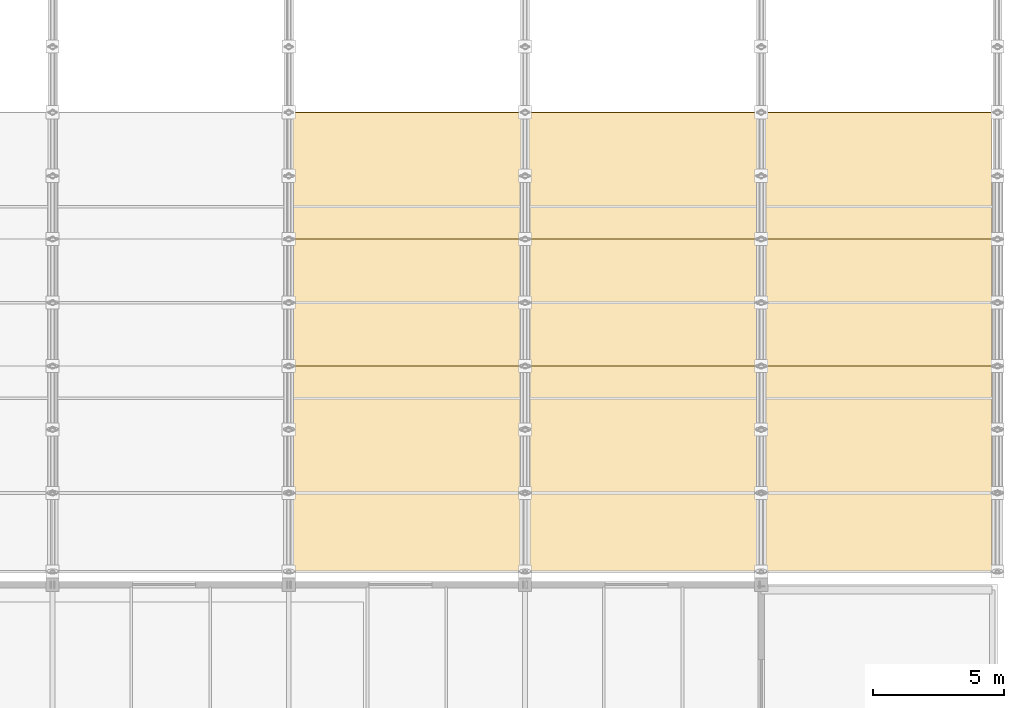
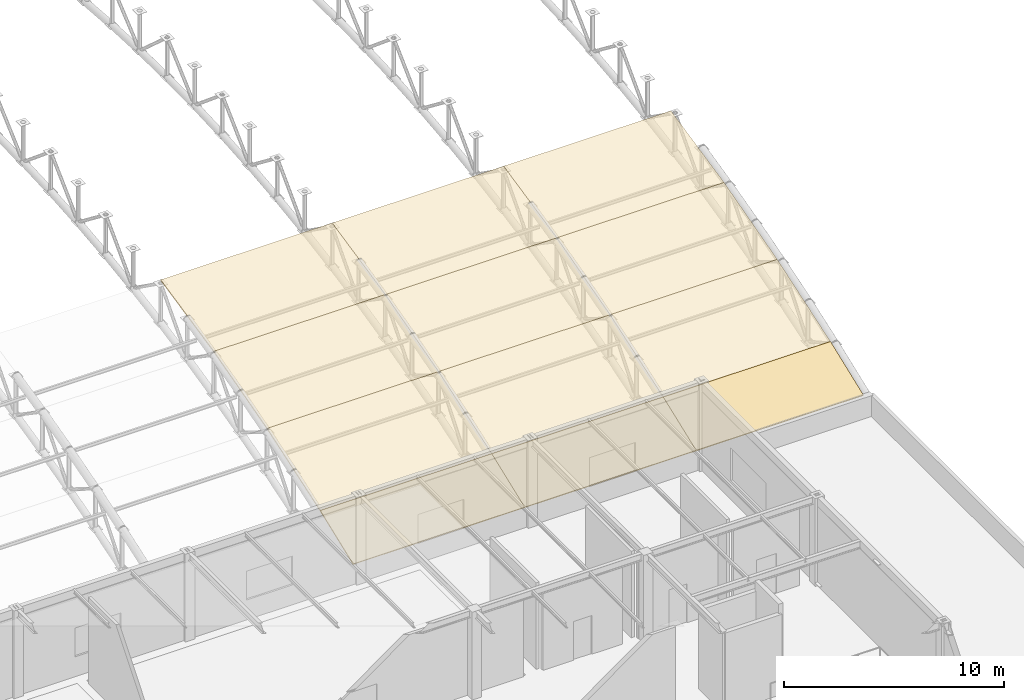
# One storey, part 191 of 195: 12 coverings.
"""IFC4 building model written with IfcOpenShell, lengths in metres."""

from ifc_helpers import new_model, si_unit, direction, frame, origin, place, context, subcontext, project, spatial, polyline, outline, extrude, material, layer, layer_set, type_object, element, save


model = new_model("IFC4")

# Units and contexts
model_context = context("Model", 3, precision=1e-05, world=origin(), true_north=direction((0.0, 1.0)))
body_context = subcontext(model_context, "Body", "Model", "MODEL_VIEW")
ifc_project = project(units=[si_unit("LENGTHUNIT", "METRE"), si_unit("AREAUNIT", "SQUARE_METRE"), si_unit("VOLUMEUNIT", "CUBIC_METRE"), si_unit("PLANEANGLEUNIT", "RADIAN"), si_unit("MASSUNIT", "GRAM", prefix="KILO")], contexts=[model_context])

# Site, building, storey
site_placement = place(None, origin())
site = spatial("IfcSite", under=ifc_project, at=site_placement, CompositionType="ELEMENT")
building_placement = place(site_placement, origin())
building = spatial("IfcBuilding", under=site, at=building_placement, Name="Marlcrest Central Station", CompositionType="ELEMENT")
storey_placement = place(building_placement, frame((0.0, 0.0, 9.800048828125)))
storey = spatial("IfcBuildingStorey", under=building, at=storey_placement, Name="L02", CompositionType="ELEMENT", Elevation=9.800048828125)

# Coverings
ifc_material = material(Name="Standing-seam marine-coated aluminium roofing", Category="aluminium")
ifc_layer = layer(ifc_material, 0.06494140625, Name="CV-RF2")
ifc_layer_set = layer_set([ifc_layer], Name="Standing-seam marine-coated aluminium roofing")
covering_type = type_object("IfcCoveringType", Name="CV-RF2", PredefinedType="ROOFING", material=ifc_layer_set)
covering_1_placement = place(storey_placement, frame((189.0, 33.5, 0.645751953125), z_axis=(0.0, -0.359101225901, 0.933298617569), x_axis=(1.0, 0.0, 0.0)))
element("IfcCovering", 1, at=covering_1_placement, inside=storey, type_object=covering_type, Name="cov-shed-0187", PredefinedType="ROOFING", context=body_context, shape_type="SweptSolid", body=[
    extrude(outline(polyline([(0.0, 0.0), (9.0, 0.0), (9.0, 3.2144052755735024), (0.0, 3.2144052755735024), (0.0, 0.0)])), origin(), (0.0, 0.0, -1.0), 0.06494140625),
])
covering_2_placement = place(storey_placement, frame((189.0, 36.5, 1.800048828125), z_axis=(0.0, -0.318569719273, 0.94789943241), x_axis=(1.0, 0.0, 0.0)))
element("IfcCovering", 2, at=covering_2_placement, inside=storey, type_object=covering_type, Name="cov-shed-0188", PredefinedType="ROOFING", context=body_context, shape_type="SweptSolid", body=[
    extrude(outline(polyline([(0.0, 0.0), (9.0, 0.0), (9.0, 5.095559676327259), (0.0, 5.095559676327259), (0.0, 0.0)])), origin(), (0.0, 0.0, -1.0), 0.06494140625),
])
covering_3_placement = place(storey_placement, frame((189.0, 41.330078125, 3.42333984375), z_axis=(0.0, -0.266214119485, 0.96391391866), x_axis=(1.0, 0.0, 0.0)))
element("IfcCovering", 3, at=covering_3_placement, inside=storey, type_object=covering_type, Name="cov-shed-0189", PredefinedType="ROOFING", context=body_context, shape_type="SweptSolid", body=[
    extrude(outline(polyline([(0.0, 0.0), (9.0, 0.0), (9.0, 5.021033161059522), (0.0, 5.021033161059522), (0.0, 0.0)])), origin(), (0.0, 0.0, -1.0), 0.06494140625),
])
covering_4_placement = place(storey_placement, frame((189.0, 46.169921875, 4.760009765625), z_axis=(0.0, -0.211209052667, 0.977440911806), x_axis=(1.0, 0.0, 0.0)))
element("IfcCovering", 4, at=covering_4_placement, inside=storey, type_object=covering_type, Name="cov-shed-0190", PredefinedType="ROOFING", context=body_context, shape_type="SweptSolid", body=[
    extrude(outline(polyline([(0.0, 0.0), (9.0, 0.0), (9.0, 4.941555102371799), (0.0, 4.941555102371799), (0.0, 0.0)])), origin(), (0.0, 0.0, -1.0), 0.06494140625),
])
covering_5_placement = place(storey_placement, frame((198.0, 33.5, 0.645751953125), z_axis=(0.0, -0.359101225901, 0.933298617569), x_axis=(1.0, 0.0, 0.0)))
element("IfcCovering", 5, at=covering_5_placement, inside=storey, type_object=covering_type, Name="cov-shed-0201", PredefinedType="ROOFING", context=body_context, shape_type="SweptSolid", body=[
    extrude(outline(polyline([(0.0, 0.0), (9.0, 0.0), (9.0, 3.2144052755735024), (0.0, 3.2144052755735024), (0.0, 0.0)])), origin(), (0.0, 0.0, -1.0), 0.06494140625),
])
covering_6_placement = place(storey_placement, frame((198.0, 36.5, 1.800048828125), z_axis=(0.0, -0.318569719273, 0.94789943241), x_axis=(1.0, 0.0, 0.0)))
element("IfcCovering", 6, at=covering_6_placement, inside=storey, type_object=covering_type, Name="cov-shed-0202", PredefinedType="ROOFING", context=body_context, shape_type="SweptSolid", body=[
    extrude(outline(polyline([(0.0, 0.0), (9.0, 0.0), (9.0, 5.095559676327259), (0.0, 5.095559676327259), (0.0, 0.0)])), origin(), (0.0, 0.0, -1.0), 0.06494140625),
])
covering_7_placement = place(storey_placement, frame((198.0, 41.330078125, 3.42333984375), z_axis=(0.0, -0.266214119485, 0.96391391866), x_axis=(1.0, 0.0, 0.0)))
element("IfcCovering", 7, at=covering_7_placement, inside=storey, type_object=covering_type, Name="cov-shed-0203", PredefinedType="ROOFING", context=body_context, shape_type="SweptSolid", body=[
    extrude(outline(polyline([(0.0, 0.0), (9.0, 0.0), (9.0, 5.021033161059522), (0.0, 5.021033161059522), (0.0, 0.0)])), origin(), (0.0, 0.0, -1.0), 0.06494140625),
])
covering_8_placement = place(storey_placement, frame((198.0, 46.169921875, 4.760009765625), z_axis=(0.0, -0.211209052667, 0.977440911806), x_axis=(1.0, 0.0, 0.0)))
element("IfcCovering", 8, at=covering_8_placement, inside=storey, type_object=covering_type, Name="cov-shed-0204", PredefinedType="ROOFING", context=body_context, shape_type="SweptSolid", body=[
    extrude(outline(polyline([(0.0, 0.0), (9.0, 0.0), (9.0, 4.941555102371799), (0.0, 4.941555102371799), (0.0, 0.0)])), origin(), (0.0, 0.0, -1.0), 0.06494140625),
])
covering_9_placement = place(storey_placement, frame((207.0, 33.5, 0.645751953125), z_axis=(0.0, -0.359101225901, 0.933298617569), x_axis=(1.0, 0.0, 0.0)))
element("IfcCovering", 9, at=covering_9_placement, inside=storey, type_object=covering_type, Name="cov-shed-0215", PredefinedType="ROOFING", context=body_context, shape_type="SweptSolid", body=[
    extrude(outline(polyline([(0.0, 0.0), (8.780029296875, 0.0), (8.780029296875, 3.2144052755735024), (0.0, 3.2144052755735024), (0.0, 0.0)])), origin(), (0.0, 0.0, -1.0), 0.06494140625),
])
covering_10_placement = place(storey_placement, frame((207.0, 36.5, 1.800048828125), z_axis=(0.0, -0.318569719273, 0.94789943241), x_axis=(1.0, 0.0, 0.0)))
element("IfcCovering", 10, at=covering_10_placement, inside=storey, type_object=covering_type, Name="cov-shed-0216", PredefinedType="ROOFING", context=body_context, shape_type="SweptSolid", body=[
    extrude(outline(polyline([(0.0, 0.0), (8.780029296875, 0.0), (8.780029296875, 5.095559676327259), (0.0, 5.095559676327259), (0.0, 0.0)])), origin(), (0.0, 0.0, -1.0), 0.06494140625),
])
covering_11_placement = place(storey_placement, frame((207.0, 41.330078125, 3.42333984375), z_axis=(0.0, -0.266214119485, 0.96391391866), x_axis=(1.0, 0.0, 0.0)))
element("IfcCovering", 11, at=covering_11_placement, inside=storey, type_object=covering_type, Name="cov-shed-0217", PredefinedType="ROOFING", context=body_context, shape_type="SweptSolid", body=[
    extrude(outline(polyline([(0.0, 0.0), (8.780029296875, 0.0), (8.780029296875, 5.021033161059523), (0.0, 5.021033161059523), (0.0, 0.0)])), origin(), (0.0, 0.0, -1.0), 0.06494140625),
])
covering_12_placement = place(storey_placement, frame((207.0, 46.169921875, 4.760009765625), z_axis=(0.0, -0.211209052667, 0.977440911806), x_axis=(1.0, 0.0, 0.0)))
element("IfcCovering", 12, at=covering_12_placement, inside=storey, type_object=covering_type, Name="cov-shed-0218", PredefinedType="ROOFING", context=body_context, shape_type="SweptSolid", body=[
    extrude(outline(polyline([(0.0, 0.0), (8.780029296875, 0.0), (8.780029296875, 4.941555102371799), (0.0, 4.941555102371799), (0.0, 0.0)])), origin(), (0.0, 0.0, -1.0), 0.06494140625),
])

save(model, "model.ifc")
